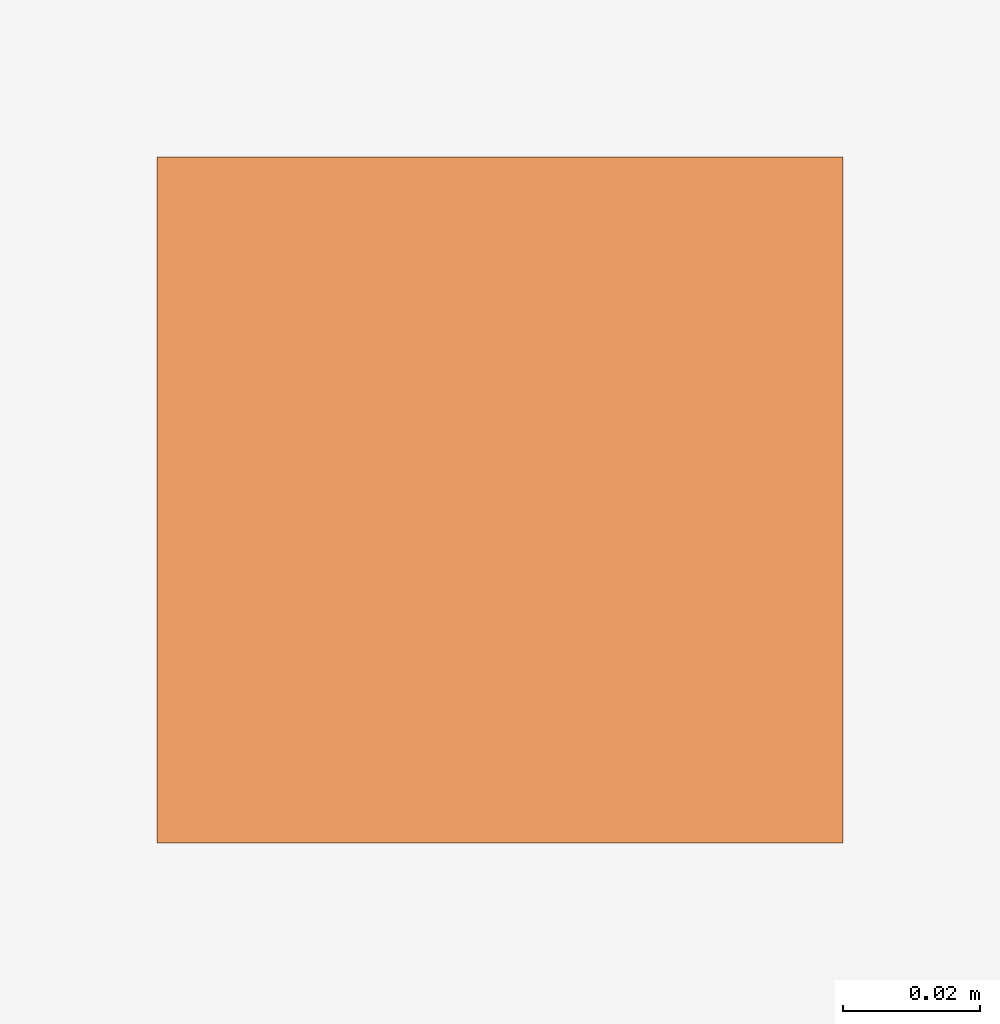
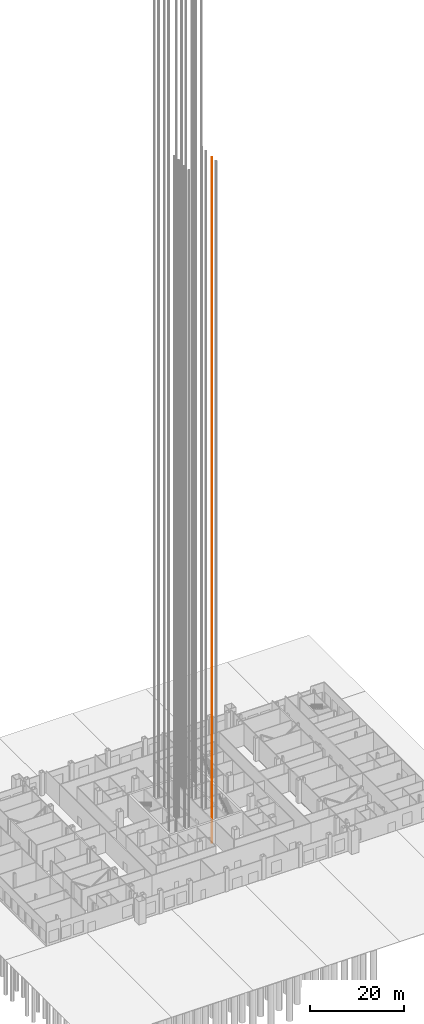
# One storey, part 23 of 36: 1 proxy.
"""IFC4 building model written with IfcOpenShell, lengths in metres."""

from ifc_helpers import new_model, si_unit, direction, frame, origin, origin_2d, place, context, subcontext, project, spatial, rectangle, extrude, material, type_object, element, save


model = new_model("IFC4")

# Units and contexts
model_context = context("Model", 3, precision=1e-05, world=origin(), true_north=direction((0.0, 1.0)))
body_context = subcontext(model_context, "Body", "Model", "MODEL_VIEW")
ifc_project = project(units=[si_unit("LENGTHUNIT", "METRE"), si_unit("AREAUNIT", "SQUARE_METRE"), si_unit("VOLUMEUNIT", "CUBIC_METRE"), si_unit("PLANEANGLEUNIT", "RADIAN"), si_unit("MASSUNIT", "GRAM", prefix="KILO")], contexts=[model_context])

# Site, building, storey
site_placement = place(None, origin())
site = spatial("IfcSite", under=ifc_project, at=site_placement, CompositionType="ELEMENT")
building_placement = place(site_placement, origin())
building = spatial("IfcBuilding", under=site, at=building_placement, Name="Malebo Sky Hospital", CompositionType="ELEMENT")
storey_placement = place(building_placement, origin())
storey = spatial("IfcBuildingStorey", under=building, at=storey_placement, Name="L00", CompositionType="ELEMENT", Elevation=0.0)

# Proxy
ifc_material = material(Name="Steel S355", Category="steel")
building_element_proxy_type = type_object("IfcBuildingElementProxyType", Name="LIFT GUIDE RAIL 100", PredefinedType="USERDEFINED", material=ifc_material)
proxy_placement = place(storey_placement, frame((63.35009765625, 56.47509765625, 0.0)))
element("IfcBuildingElementProxy", 1, at=proxy_placement, inside=storey, type_object=building_element_proxy_type, Name="Lift E1 guide rail 2", ObjectType="LIFT GUIDE RAIL", PredefinedType="USERDEFINED", context=body_context, shape_type="SweptSolid", body=[
    extrude(rectangle(XDim=0.10009765625, YDim=0.10009765625, at=origin_2d()), frame((0.0, 0.0, -2.25)), (0.0, 0.0, 1.0), 177.75),
])

save(model, "model.ifc")
